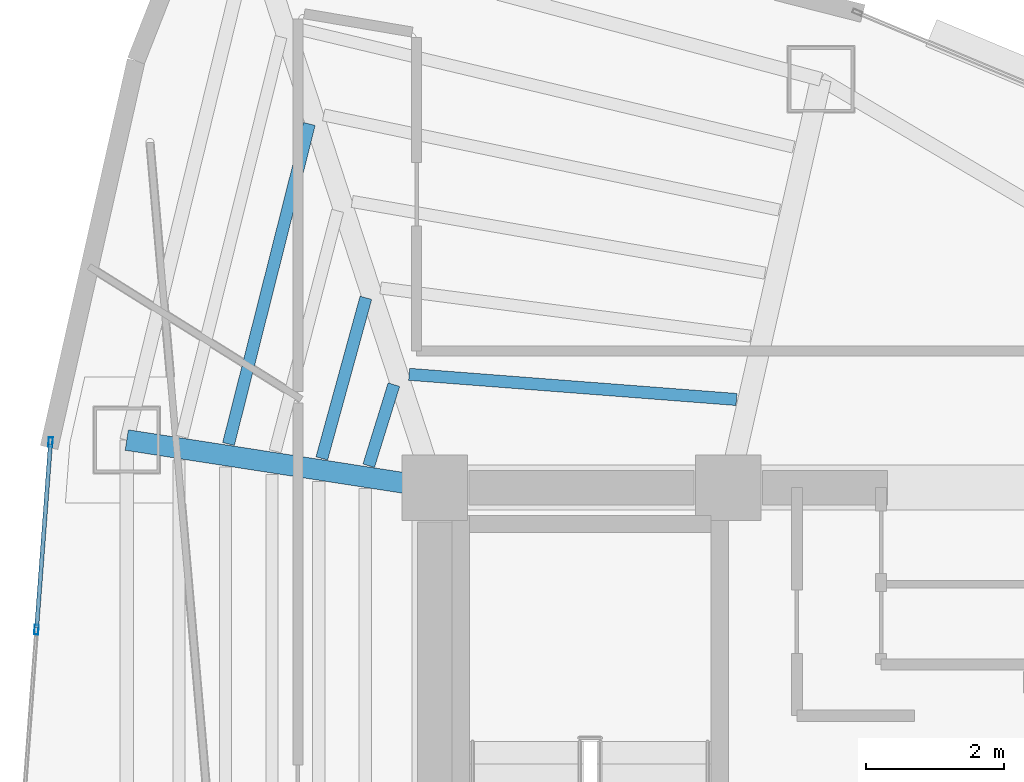
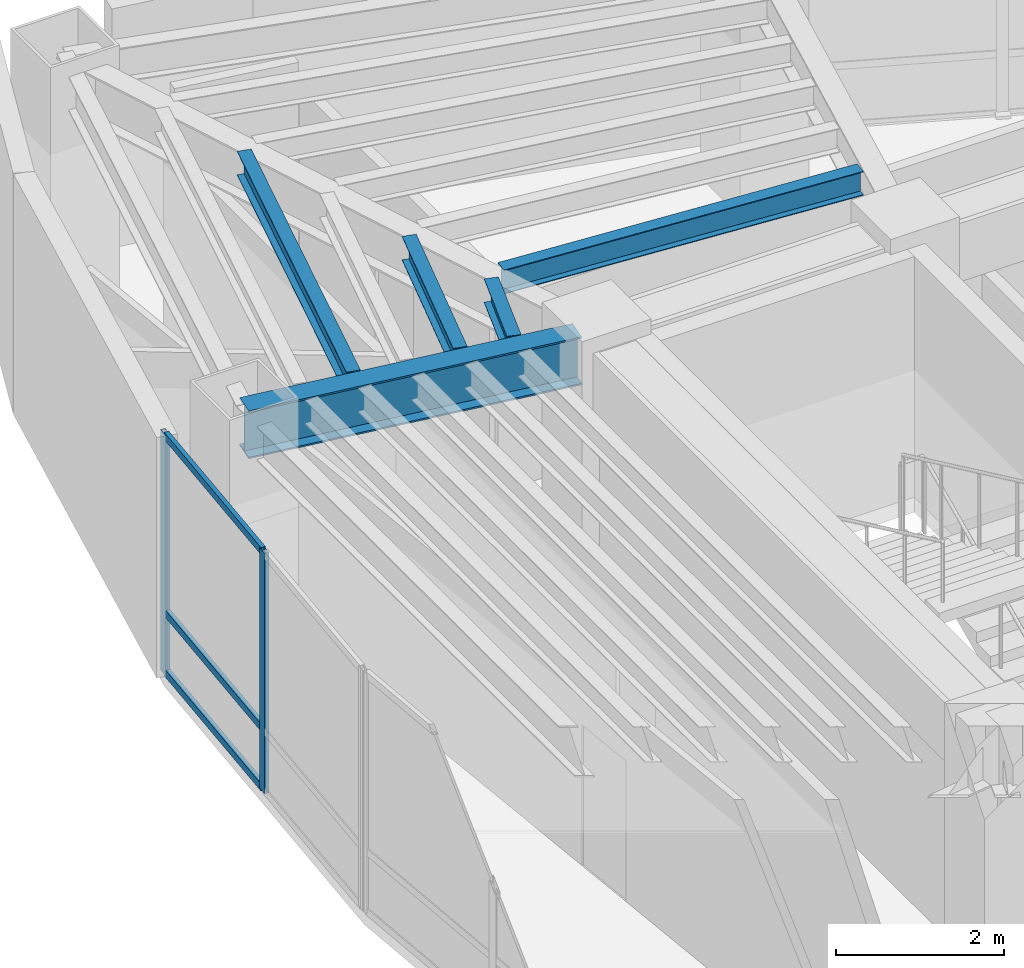
# One storey, part 7 of 16: 5 beams, 5 members, 1 element without a shape of its own.
"""IFC4 building model written with IfcOpenShell, lengths in metres."""

from ifc_helpers import new_model, si_unit, direction, frame, origin, origin_2d, place, context, subcontext, project, spatial, hollow_rectangle, i_section, extrude, material, layer, layer_set, material_profile, profile_set, type_object, element, aggregate, save


model = new_model("IFC4")

# Units and contexts
model_context = context("Model", 3, precision=1e-05, world=origin(), true_north=direction((0.0, 1.0)))
body_context = subcontext(model_context, "Body", "Model", "MODEL_VIEW")
ifc_project = project(units=[si_unit("LENGTHUNIT", "METRE"), si_unit("AREAUNIT", "SQUARE_METRE"), si_unit("VOLUMEUNIT", "CUBIC_METRE"), si_unit("PLANEANGLEUNIT", "RADIAN"), si_unit("MASSUNIT", "GRAM", prefix="KILO")], contexts=[model_context])

# Site, building, storey
site_placement = place(None, origin())
site = spatial("IfcSite", under=ifc_project, at=site_placement, CompositionType="ELEMENT")
building_placement = place(site_placement, origin())
building = spatial("IfcBuilding", under=site, at=building_placement, Name="Menara Vayukalpa", CompositionType="ELEMENT")
storey_placement = place(building_placement, frame((0.0, 0.0, 219.5400390625)))
storey = spatial("IfcBuildingStorey", under=building, at=storey_placement, Name="L55", CompositionType="ELEMENT", Elevation=219.5400390625)

# Beams
ifc_material_1 = material(Name="Steel S355", Category="steel")
ifc_material_profile_1 = material_profile(ifc_material_1, i_section(OverallWidth=0.300048828125, OverallDepth=0.699951171875, WebThickness=0.012939453125, FlangeThickness=0.02392578125, at=origin_2d()), Name="WF 700x300x13x24")
ifc_profile_set_1 = profile_set([ifc_material_profile_1], Name="Steel S355")
beam_type_1 = type_object("IfcBeamType", Name="BM-PG5", PredefinedType="BEAM", material=ifc_profile_set_1)
beam_1_placement = place(storey_placement, frame((17.552978515625, 26.838134765625, 3.14990234375), z_axis=(-0.988244781219, 0.152879862617, 0.0), x_axis=(-0.152879862617, -0.988244781219, 0.0)))
element("IfcBeam", 1, at=beam_1_placement, inside=storey, type_object=beam_type_1, Name="L55 Primary Radial Girder RG05", PredefinedType="BEAM", context=body_context, shape_type="SweptSolid", body=[
    extrude(i_section(OverallWidth=0.300048828125, OverallDepth=0.699951171875, WebThickness=0.012939453125, FlangeThickness=0.02392578125, at=origin_2d()), origin(), (0.0, 0.0, 1.0), 4.259033203125),
])
ifc_material_2 = material(Name="Steel S355", Category="steel")
ifc_material_profile_2 = material_profile(ifc_material_2, i_section(OverallWidth=0.175048828125, OverallDepth=0.35009765625, WebThickness=0.007080078125, FlangeThickness=0.010986328125, at=origin_2d()), Name="WF 350x175x7x11")
ifc_profile_set_2 = profile_set([ifc_material_profile_2], Name="Steel S355")
beam_type_2 = type_object("IfcBeamType", Name="BM-SJ3", PredefinedType="JOIST", material=ifc_profile_set_2)
beam_2_placement = place(storey_placement, frame((22.1669921875, 28.076416015625, 3.324951171875), z_axis=(-0.997060829559, 0.076613981492, 0.0), x_axis=(-0.076613981492, -0.997060829559, 0.0)))
element("IfcBeam", 2, at=beam_2_placement, inside=storey, type_object=beam_type_2, Name="L55 Secondary Floor Joist SJ03-1", PredefinedType="JOIST", context=body_context, shape_type="SweptSolid", body=[
    extrude(i_section(OverallWidth=0.175048828125, OverallDepth=0.35009765625, WebThickness=0.007080078125, FlangeThickness=0.010986328125, at=origin_2d()), origin(), (0.0, 0.0, 1.0), 4.751220703125),
])
beam_3_placement = place(storey_placement, frame((17.209716796875, 28.291015625, 3.324951171875), z_axis=(-0.296305452853, -0.955093230323, 0.0), x_axis=(0.955093230323, -0.296305452853, 0.0)))
element("IfcBeam", 3, at=beam_3_placement, inside=storey, type_object=beam_type_2, Name="L55 Secondary Floor Joist SJ04-1", PredefinedType="JOIST", context=body_context, shape_type="SweptSolid", body=[
    extrude(i_section(OverallWidth=0.175048828125, OverallDepth=0.35009765625, WebThickness=0.007080078125, FlangeThickness=0.010986328125, at=origin_2d()), origin(), (0.0, 0.0, 1.0), 1.228515625),
])
beam_4_placement = place(storey_placement, frame((16.804443359375, 29.5478515625, 3.324951171875), z_axis=(-0.264565534661, -0.964367708848, 0.0), x_axis=(0.964367708848, -0.264565534661, 0.0)))
element("IfcBeam", 4, at=beam_4_placement, inside=storey, type_object=beam_type_2, Name="L55 Secondary Floor Joist SJ04-2", PredefinedType="JOIST", context=body_context, shape_type="SweptSolid", body=[
    extrude(i_section(OverallWidth=0.175048828125, OverallDepth=0.35009765625, WebThickness=0.007080078125, FlangeThickness=0.010986328125, at=origin_2d()), origin(), (0.0, 0.0, 1.0), 2.410400390625),
])
beam_5_placement = place(storey_placement, frame((15.986083984375, 32.063720703125, 3.324951171875), z_axis=(-0.24483203065, -0.969565509271, 0.0), x_axis=(0.969565509271, -0.24483203065, 0.0)))
element("IfcBeam", 5, at=beam_5_placement, inside=storey, type_object=beam_type_2, Name="L55 Secondary Floor Joist SJ04-4", PredefinedType="JOIST", context=body_context, shape_type="SweptSolid", body=[
    extrude(i_section(OverallWidth=0.175048828125, OverallDepth=0.35009765625, WebThickness=0.007080078125, FlangeThickness=0.010986328125, at=origin_2d()), origin(), (0.0, 0.0, 1.0), 4.7763671875),
])

# Curtain wall, members
ifc_material_3 = material(Name="Anodised Terracotta Aluminium Alloy 6063-T6", Category="masonry")
ifc_layer = layer(ifc_material_3, 0.139892578125)
ifc_layer_set = layer_set([ifc_layer], Name="Anodised Terracotta Aluminium Alloy 6063-T6")
curtain_wall_type = type_object("IfcCurtainWallType", Name="CW-CW5", PredefinedType="USERDEFINED", material=ifc_layer_set)
curtain_wall_placement = place(storey_placement, origin())
curtain_wall = element("IfcCurtainWall", 6, at=curtain_wall_placement, inside=storey, type_object=curtain_wall_type, Name="L55 High Rise Tapered Curtain Wall CW5 10", ObjectType="UNITISED", PredefinedType="USERDEFINED")
ifc_material_4 = material(Name="Anodised Terracotta Aluminium Alloy 6063-T6", Category="masonry")
ifc_material_profile_3 = material_profile(ifc_material_4, hollow_rectangle(XDim=0.06005859375, YDim=0.139892578125, WallThickness=0.00341796875, at=origin_2d()), Name="ALU 60x140x3.5")
ifc_profile_set_3 = profile_set([ifc_material_profile_3], Name="Anodised Terracotta Aluminium Alloy 6063-T6")
member_type_1 = type_object("IfcMemberType", Name="CWM-CW5", PredefinedType="MULLION", material=ifc_profile_set_3)
member_1_placement = place(storey_placement, frame((12.24169921875, 27.459228515625, 0.0), z_axis=(0.0, 0.0, 1.0), x_axis=(0.9971991744, -0.074791754736, 0.0)))
member_1 = element("IfcMember", 7, at=member_1_placement, type_object=member_type_1, Name="CW5 mullion 1", PredefinedType="MULLION", context=body_context, shape_type="SweptSolid", body=[
    extrude(hollow_rectangle(XDim=0.06005859375, YDim=0.139892578125, WallThickness=0.00341796875, at=origin_2d()), origin(), (0.0, 0.0, 1.0), 3.5),
])
member_2_placement = place(storey_placement, frame((12.0380859375, 24.74462890625, 0.0), z_axis=(0.0, 0.0, 1.0), x_axis=(0.9971991744, -0.074791754736, 0.0)))
member_2 = element("IfcMember", 8, at=member_2_placement, type_object=member_type_1, Name="CW5 mullion 2", PredefinedType="MULLION", context=body_context, shape_type="SweptSolid", body=[
    extrude(hollow_rectangle(XDim=0.06005859375, YDim=0.139892578125, WallThickness=0.00341796875, at=origin_2d()), origin(), (0.0, 0.0, 1.0), 3.5),
])
ifc_material_5 = material(Name="Anodised Terracotta Aluminium Alloy 6063-T6", Category="masonry")
ifc_material_profile_4 = material_profile(ifc_material_5, hollow_rectangle(XDim=0.06005859375, YDim=0.10498046875, WallThickness=0.0029296875, at=origin_2d()), Name="ALU 60x105x3")
ifc_profile_set_4 = profile_set([ifc_material_profile_4], Name="Anodised Terracotta Aluminium Alloy 6063-T6")
member_type_2 = type_object("IfcMemberType", Name="CWT-CW5", PredefinedType="USERDEFINED", material=ifc_profile_set_4)
member_3_placement = place(storey_placement, frame((12.239501953125, 27.429443359375, 0.030029296875), z_axis=(-0.074824141952, -0.997196744771, 0.0), x_axis=(0.997196744771, -0.074824141952, 0.0)))
member_3 = element("IfcMember", 9, at=member_3_placement, type_object=member_type_2, Name="CW5 transom 1.1", ObjectType="TRANSOM", PredefinedType="USERDEFINED", context=body_context, shape_type="SweptSolid", body=[
    extrude(hollow_rectangle(XDim=0.06005859375, YDim=0.10498046875, WallThickness=0.0029296875, at=origin_2d()), origin(), (0.0, 0.0, 1.0), 2.66259765625),
])
member_4_placement = place(storey_placement, frame((12.239501953125, 27.429443359375, 0.89990234375), z_axis=(-0.074824141952, -0.997196744771, 0.0), x_axis=(0.997196744771, -0.074824141952, 0.0)))
member_4 = element("IfcMember", 10, at=member_4_placement, type_object=member_type_2, Name="CW5 transom 1.2", ObjectType="TRANSOM", PredefinedType="USERDEFINED", context=body_context, shape_type="SweptSolid", body=[
    extrude(hollow_rectangle(XDim=0.06005859375, YDim=0.10498046875, WallThickness=0.0029296875, at=origin_2d()), origin(), (0.0, 0.0, 1.0), 2.66259765625),
])
member_5_placement = place(storey_placement, frame((12.239501953125, 27.429443359375, 3.469970703125), z_axis=(-0.074824141952, -0.997196744771, 0.0), x_axis=(0.997196744771, -0.074824141952, 0.0)))
member_5 = element("IfcMember", 11, at=member_5_placement, type_object=member_type_2, Name="CW5 transom 1.3", ObjectType="TRANSOM", PredefinedType="USERDEFINED", context=body_context, shape_type="SweptSolid", body=[
    extrude(hollow_rectangle(XDim=0.06005859375, YDim=0.10498046875, WallThickness=0.0029296875, at=origin_2d()), origin(), (0.0, 0.0, 1.0), 2.66259765625),
])
aggregate(curtain_wall, [member_1, member_2, member_3, member_4, member_5])

save(model, "model.ifc")
